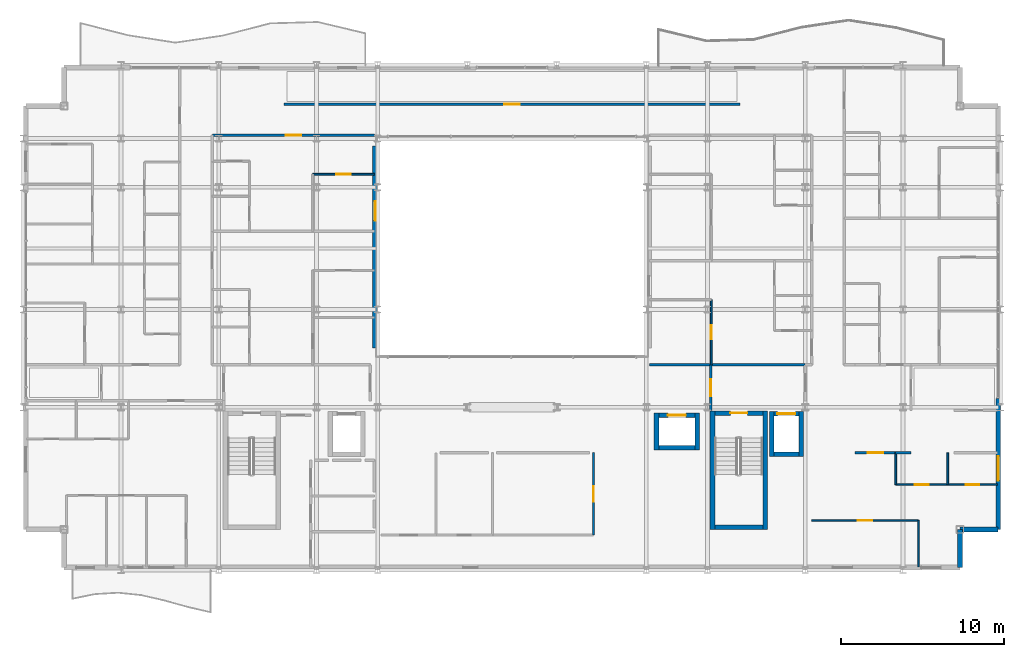
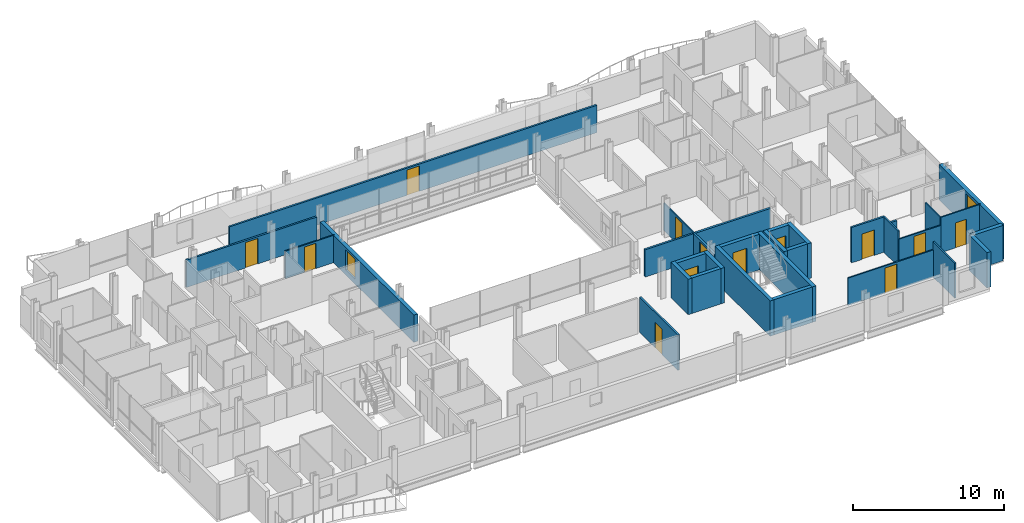
# One storey, part 34 of 40: 32 walls, 13 doors, 2 windows, 15 openings.
"""IFC4 building model written with IfcOpenShell, lengths in metres."""

import ifcopenshell
import ifcopenshell.guid

model = None  # the IFC model being written
_history = None  # IfcOwnerHistory: only IFC2X3 demands one
_inside = {}  # id of a spatial element -> (the spatial element, [elements in it])
_under = {}  # id of a project, library or spatial element -> (it, [spatial elements below it])
_declared = {}  # id of a project -> (the project, [libraries it declares])
_typed = {}  # id of a type object -> (the type object, [elements of that type])
_made_of = {}  # id of a material, layer set ... -> (it, [elements and type objects made of it])


def new_model(schema):
    """Start an empty IFC model of exactly this schema.

    Asked for "IFC4X3", IfcOpenShell would pick the latest addendum, in which some entities
    have other attributes; the version numbers below select the first issue.
    IFC2X3 requires an IfcOwnerHistory on every rooted entity: one is made here for all.
    """
    global model, _history
    if schema == "IFC4X3":
        model = ifcopenshell.file(schema_version=(4, 3, 0, 0))
    else:
        model = ifcopenshell.file(schema=schema)
    _inside.clear()
    _under.clear()
    _declared.clear()
    _typed.clear()
    _made_of.clear()
    _history = None
    if model.schema == "IFC2X3":
        org = make("IfcOrganization", Name="unknown")
        user = make(
            "IfcPersonAndOrganization",
            ThePerson=make("IfcPerson", FamilyName="unknown"),
            TheOrganization=org,
        )
        app = make(
            "IfcApplication",
            ApplicationDeveloper=org,
            Version="unknown",
            ApplicationFullName="unknown",
            ApplicationIdentifier="unknown",
        )
        _history = make(
            "IfcOwnerHistory",
            OwningUser=user,
            OwningApplication=app,
            ChangeAction="ADDED",
            CreationDate=0,
        )
    return model


def make(cls, **values):
    """One entity of the class cls with the attributes given. An attribute that is None is left unset."""
    return model.create_entity(
        cls, **{name: value for name, value in values.items() if value is not None}
    )


def rooted(cls, **values):
    """An entity with a GlobalId (a new one), such as an element, a storey or a relation."""
    return make(cls, GlobalId=ifcopenshell.guid.new(), OwnerHistory=_history, **values)


def si_unit(unit_type, name, prefix=None):
    """IfcSIUnit, for example si_unit("LENGTHUNIT", "METRE", prefix="MILLI")."""
    return make("IfcSIUnit", UnitType=unit_type, Prefix=prefix, Name=name)


def assignment(units):
    """IfcUnitAssignment: the units of a project."""
    return None if units is None else make("IfcUnitAssignment", Units=units)


def point(xyz):
    """IfcCartesianPoint."""
    return None if xyz is None else make("IfcCartesianPoint", Coordinates=xyz)


def direction(xyz):
    """IfcDirection."""
    return None if xyz is None else make("IfcDirection", DirectionRatios=xyz)


def frame(location, z_axis=None, x_axis=None):
    """IfcAxis2Placement3D, a coordinate frame: its origin and axes. An axis left out is left unset."""
    return make(
        "IfcAxis2Placement3D",
        Location=point(location),
        Axis=direction(z_axis),
        RefDirection=direction(x_axis),
    )


def frame_2d(location, x_axis=None):
    """IfcAxis2Placement2D, a coordinate frame in the plane: its origin and x axis."""
    return make(
        "IfcAxis2Placement2D", Location=point(location), RefDirection=direction(x_axis)
    )


def origin():
    """The frame at (0, 0, 0) with its axes left unset."""
    return frame((0.0, 0.0, 0.0))


def place(relative_to, where):
    """IfcLocalPlacement: puts the frame where relative to a parent placement (None: the world)."""
    return make(
        "IfcLocalPlacement", PlacementRelTo=relative_to, RelativePlacement=where
    )


def context(
    kind, dimensions, precision=None, world=None, true_north=None, identifier=None
):
    """IfcGeometricRepresentationContext, for example the 3D "Model" context."""
    return make(
        "IfcGeometricRepresentationContext",
        ContextIdentifier=identifier,
        ContextType=kind,
        CoordinateSpaceDimension=dimensions,
        Precision=precision,
        WorldCoordinateSystem=world,
        TrueNorth=true_north,
    )


def subcontext(parent, identifier, kind, view, scale=None):
    """IfcGeometricRepresentationSubContext, for example "Body" below "Model"."""
    return make(
        "IfcGeometricRepresentationSubContext",
        ContextIdentifier=identifier,
        ContextType=kind,
        ParentContext=parent,
        TargetScale=scale,
        TargetView=view,
    )


def project(units=None, contexts=None):
    """IfcProject with its units and contexts."""
    return rooted(
        "IfcProject",
        Name="project",
        RepresentationContexts=contexts,
        UnitsInContext=assignment(units),
    )


def spatial(cls, under=None, at=None, **own):
    """A site, building, storey or space (cls), placed at a placement, below another one or the project."""
    s = rooted(cls, ObjectPlacement=at, **own)
    if under is not None:
        _under.setdefault(under.id(), (under, []))[1].append(s)
    return s


def profile(cls, at=None, kind="AREA", **sizes):
    """A parametric profile (cls). Its sizes go by their IFC names, for example OverallWidth=200.0."""
    return make(cls, ProfileType=kind, Position=at, **sizes)


def rectangle(**sizes):
    """IfcRectangleProfileDef."""
    return profile("IfcRectangleProfileDef", **sizes)


def extrude(swept, where, along, depth):
    """IfcExtrudedAreaSolid: the profile swept, set in the frame where, extruded along a direction by depth."""
    return make(
        "IfcExtrudedAreaSolid",
        SweptArea=swept,
        Position=where,
        ExtrudedDirection=direction(along),
        Depth=depth,
    )


def shape(context_of_items, identifier, shape_type, items):
    """IfcShapeRepresentation: the items that make up one representation, for example the "Body"."""
    return make(
        "IfcShapeRepresentation",
        ContextOfItems=context_of_items,
        RepresentationIdentifier=identifier,
        RepresentationType=shape_type,
        Items=items,
    )


def material(Name=None, Category=None):
    """IfcMaterial."""
    return make("IfcMaterial", Name=Name, Category=Category)


def layer(
    of_material, thickness, ventilated=None, Name=None, Category=None, Priority=None
):
    """IfcMaterialLayer: one layer of a wall or slab, of a material (None: an air gap)."""
    return make(
        "IfcMaterialLayer",
        Material=of_material,
        LayerThickness=thickness,
        IsVentilated=ventilated,
        Name=Name,
        Category=Category,
        Priority=Priority,
    )


def layer_set(layers, Name=None):
    """IfcMaterialLayerSet."""
    return make("IfcMaterialLayerSet", MaterialLayers=layers, LayerSetName=Name)


def made_of(thing, what):
    """Note that an element or type object is made of a material, layer set ...; save() writes the relation."""
    if what is not None:
        _made_of.setdefault(what.id(), (what, []))[1].append(thing)
    return thing


def type_object(cls, material=None, **own):
    """A type object (cls), such as IfcWallType, which elements share."""
    return made_of(rooted(cls, **own), material)


def element(
    cls,
    number,
    at=None,
    inside=None,
    cuts=None,
    type_object=None,
    material=None,
    context=None,
    identifier="Body",
    shape_type=None,
    held_by="IfcProductDefinitionShape",
    body=None,
    shapes=None,
    **own,
):
    """One element of the class cls, such as IfcWall. Its Tag is "e" and its number.

    at: its placement. inside: the storey or other place that contains it. cuts: it is an
    opening in that element (IfcRelVoidsElement). A single representation is given by context,
    identifier, shape_type and body (its items); several are given by shapes. held_by: the class
    of the entity that holds the representations. save() writes the other relations.
    """
    e = rooted(cls, Tag="e%d" % number, ObjectPlacement=at, **own)
    if body is not None:
        shapes = [shape(context, identifier, shape_type, body)]
    if shapes is not None:
        e.Representation = make(held_by, Representations=shapes)
    if inside is not None:
        _inside.setdefault(inside.id(), (inside, []))[1].append(e)
    if cuts is not None:
        rooted(
            "IfcRelVoidsElement", RelatingBuildingElement=cuts, RelatedOpeningElement=e
        )
    if type_object is not None:
        _typed.setdefault(type_object.id(), (type_object, []))[1].append(e)
    return made_of(e, material)


def fill(opening, filler):
    """IfcRelFillsElement: the door or window that sits in an opening."""
    return rooted(
        "IfcRelFillsElement",
        RelatingOpeningElement=opening,
        RelatedBuildingElement=filler,
    )


def aggregate(whole, parts):
    """IfcRelAggregates: a whole, such as a stair, and the parts it consists of."""
    return rooted("IfcRelAggregates", RelatingObject=whole, RelatedObjects=parts)


def save(model, path):
    """Write the relations noted so far, then the file.

    IfcRelAggregates (storeys below a building ...), IfcRelContainedInSpatialStructure (elements
    in a storey), IfcRelDefinesByType, IfcRelAssociatesMaterial and IfcRelDeclares: one each for
    every whole, place, type object, material and project.
    """
    for whole, parts in _under.values():
        aggregate(whole, parts)
    for where, things in _inside.values():
        rooted(
            "IfcRelContainedInSpatialStructure",
            RelatedElements=things,
            RelatingStructure=where,
        )
    for kind, things in _typed.values():
        rooted("IfcRelDefinesByType", RelatedObjects=things, RelatingType=kind)
    for what, things in _made_of.values():
        rooted("IfcRelAssociatesMaterial", RelatedObjects=things, RelatingMaterial=what)
    for by, libraries in _declared.values():
        rooted("IfcRelDeclares", RelatingContext=by, RelatedDefinitions=libraries)
    model.write(path)


model = new_model("IFC4")

# Units and contexts
model_context = context("Model", 3, precision=1e-05, world=origin(), true_north=direction((0.0, 1.0)))
body_context = subcontext(model_context, "Body", "Model", "MODEL_VIEW")
ifc_project = project(units=[si_unit("LENGTHUNIT", "METRE"), si_unit("AREAUNIT", "SQUARE_METRE"), si_unit("VOLUMEUNIT", "CUBIC_METRE"), si_unit("PLANEANGLEUNIT", "RADIAN"), si_unit("MASSUNIT", "GRAM", prefix="KILO")], contexts=[model_context])

# Site, building, storey
site_placement = place(None, origin())
site = spatial("IfcSite", under=ifc_project, at=site_placement, CompositionType="ELEMENT")
building_placement = place(site_placement, origin())
building = spatial("IfcBuilding", under=site, at=building_placement, Name="Brevholm Reach", CompositionType="ELEMENT")
storey_placement = place(building_placement, frame((0.0, 0.0, 131.39990234375)))
storey = spatial("IfcBuildingStorey", under=building, at=storey_placement, Name="L39", CompositionType="ELEMENT", Elevation=131.39990234375)

# Walls
ifc_material_1 = material(Name="Concrete C50/60", Category="concrete")
ifc_layer_1 = layer(ifc_material_1, 0.280029296875)
ifc_layer_set_1 = layer_set([ifc_layer_1], Name="Concrete C50/60")
wall_type_1 = type_object("IfcWallType", Name="WAL-COR-280", PredefinedType="SHEAR", material=ifc_layer_set_1)
for number, where, z_axis, x_axis, name in (
    (1, (42.31005859375, 2.5, 0.0), (0.0, 0.0, 1.0), (0.0, 1.0, 0.0), "L39 Escape Stair ST-2 Core Wall W"),
    (2, (45.5400390625, 2.5, 0.0), (0.0, 0.0, 1.0), (0.0, 1.0, 0.0), "L39 Escape Stair ST-2 Core Wall E"),
):
    element("IfcWall", number, at=place(storey_placement, frame(where, z_axis=z_axis, x_axis=x_axis)), inside=storey, type_object=wall_type_1, Name=name, PredefinedType="SHEAR", context=body_context, shape_type="SweptSolid", body=[
        extrude(rectangle(XDim=7.280029296875, YDim=0.280029296875, at=frame_2d((3.64013671875, 0.0))), origin(), (0.0, 0.0, 1.0), 2.85009765625),
    ])
wall_1_placement = place(storey_placement, frame((42.449951171875, 2.639892578125, 0.0), z_axis=(0.0, 0.0, 1.0), x_axis=(1.0, 0.0, 0.0)))
element("IfcWall", 3, at=wall_1_placement, inside=storey, type_object=wall_type_1, Name="L39 Escape Stair ST-2 Core Wall S", PredefinedType="SHEAR", context=body_context, shape_type="SweptSolid", body=[
    extrude(rectangle(XDim=2.949951171875, YDim=0.280029296875, at=frame_2d((1.47509765625, 0.0))), origin(), (0.0, 0.0, 1.0), 2.85009765625),
])

# Wall, opening, door
wall_2_placement = place(storey_placement, frame((45.39990234375, 9.639892578125, 0.0), z_axis=(0.0, 0.0, 1.0), x_axis=(-1.0, 0.0, 0.0)))
wall_2 = element("IfcWall", 4, at=wall_2_placement, inside=storey, type_object=wall_type_1, Name="L39 Escape Stair ST-2 Core Wall N", PredefinedType="SHEAR", context=body_context, shape_type="SweptSolid", body=[
    extrude(rectangle(XDim=2.949951171875, YDim=0.280029296875, at=frame_2d((1.47509765625, 0.0))), origin(), (0.0, 0.0, 1.0), 2.85009765625),
])
opening_1_placement = place(wall_2_placement, frame((0.949951171875, 0.0, 0.0)))
opening_1 = element("IfcOpeningElement", 5, at=opening_1_placement, cuts=wall_2, Name="Opening SD-ST-2", PredefinedType="OPENING", context=body_context, shape_type="SweptSolid", body=[
    extrude(rectangle(XDim=1.050048828125, YDim=2.06005859375, at=frame_2d((0.52490234375, 1.030029296875))), frame((0.0, 0.14990234375, 0.0), z_axis=(0.0, -1.0, 0.0), x_axis=(1.0, 0.0, 0.0)), (0.0, 0.0, 1.0), 0.300048828125),
])
ifc_material_2 = material(Name="Hardwood-Lipped Steel-Core Fire and Smoke Door", Category="steel")
door_type_1 = type_object("IfcDoorType", Name="DOR-INT-FD60S", OperationType="NOTDEFINED", PredefinedType="DOOR", material=ifc_material_2)
door_1_placement = place(opening_1_placement, origin())
door_1 = element("IfcDoor", 6, at=door_1_placement, inside=storey, type_object=door_type_1, Name="L39 Protected Stair ST-2 Lobby Door", OperationType="SINGLE_SWING_RIGHT", OverallHeight=2.06005859375, OverallWidth=1.050048828125, PredefinedType="DOOR", context=body_context, shape_type="SweptSolid", body=[
    extrude(rectangle(XDim=1.050048828125, YDim=2.06005859375, at=frame_2d((0.52490234375, 1.030029296875))), frame((0.0, 0.02490234375, 0.0), z_axis=(0.0, -1.0, 0.0), x_axis=(1.0, 0.0, 0.0)), (0.0, 0.0, 1.0), 0.050048828125),
])
fill(opening_1, door_1)

# Walls
for number, where, z_axis, x_axis, name in (
    (7, (45.949951171875, 6.9599609375, 0.0), (0.0, 0.0, 1.0), (0.0, 1.0, 0.0), "L39 Lift FFL-2 Shaft Wall W"),
    (8, (47.75, 6.9599609375, 0.0), (0.0, 0.0, 1.0), (0.0, 1.0, 0.0), "L39 Lift FFL-2 Shaft Wall E"),
):
    element("IfcWall", number, at=place(storey_placement, frame(where, z_axis=z_axis, x_axis=x_axis)), inside=storey, type_object=wall_type_1, Name=name, PredefinedType="SHEAR", context=body_context, shape_type="SweptSolid", body=[
        extrude(rectangle(XDim=2.780029296875, YDim=0.280029296875, at=frame_2d((1.39013671875, 0.0))), origin(), (0.0, 0.0, 1.0), 2.85009765625),
    ])
wall_3_placement = place(storey_placement, frame((46.090087890625, 7.10009765625, 0.0), z_axis=(0.0, 0.0, 1.0), x_axis=(1.0, 0.0, 0.0)))
element("IfcWall", 9, at=wall_3_placement, inside=storey, type_object=wall_type_1, Name="L39 Lift FFL-2 Shaft Wall S", PredefinedType="SHEAR", context=body_context, shape_type="SweptSolid", body=[
    extrude(rectangle(XDim=1.52001953125, YDim=0.280029296875, at=frame_2d((0.760009765625, 0.0))), origin(), (0.0, 0.0, 1.0), 2.85009765625),
])

# Wall, opening, door
wall_4_placement = place(storey_placement, frame((46.090087890625, 9.60009765625, 0.0), z_axis=(0.0, 0.0, 1.0), x_axis=(1.0, 0.0, 0.0)))
wall_4 = element("IfcWall", 10, at=wall_4_placement, inside=storey, type_object=wall_type_1, Name="L39 Lift FFL-2 Shaft Wall N", PredefinedType="SHEAR", context=body_context, shape_type="SweptSolid", body=[
    extrude(rectangle(XDim=1.52001953125, YDim=0.280029296875, at=frame_2d((0.760009765625, 0.0))), origin(), (0.0, 0.0, 1.0), 2.85009765625),
])
opening_2_placement = place(wall_4_placement, frame((0.2099609375, 0.0, 0.0)))
opening_2 = element("IfcOpeningElement", 11, at=opening_2_placement, cuts=wall_4, Name="Opening LD-FFL-2", PredefinedType="OPENING", context=body_context, shape_type="SweptSolid", body=[
    extrude(rectangle(XDim=1.10009765625, YDim=2.06005859375, at=frame_2d((0.550048828125, 1.030029296875))), frame((0.0, 0.14990234375, 0.0), z_axis=(0.0, -1.0, 0.0), x_axis=(1.0, 0.0, 0.0)), (0.0, 0.0, 1.0), 0.300048828125),
])
ifc_material_3 = material(Name="Brushed Stainless Steel Fire-Rated Sliding Lift Door", Category="steel")
door_type_2 = type_object("IfcDoorType", Name="DOR-LFT-1100", OperationType="NOTDEFINED", PredefinedType="DOOR", material=ifc_material_3)
door_2_placement = place(opening_2_placement, origin())
door_2 = element("IfcDoor", 12, at=door_2_placement, inside=storey, type_object=door_type_2, Name="L39 Lift FFL-2 Sliding Landing Door", OperationType="SLIDING_TO_RIGHT", OverallHeight=2.06005859375, OverallWidth=1.10009765625, PredefinedType="DOOR", context=body_context, shape_type="SweptSolid", body=[
    extrude(rectangle(XDim=1.10009765625, YDim=2.06005859375, at=frame_2d((0.550048828125, 1.030029296875))), frame((0.0, 0.02490234375, 0.0), z_axis=(0.0, -1.0, 0.0), x_axis=(1.0, 0.0, 0.0)), (0.0, 0.0, 1.0), 0.050048828125),
])
fill(opening_2, door_2)

# Walls
for number, where, z_axis, x_axis, name in (
    (13, (38.8701171875, 7.360107421875, 0.0), (0.0, 0.0, 1.0), (0.0, 1.0, 0.0), "L39 Lift PL-S1 Shaft Wall W"),
    (14, (41.3701171875, 7.360107421875, 0.0), (0.0, 0.0, 1.0), (0.0, 1.0, 0.0), "L39 Lift PL-S1 Shaft Wall E"),
):
    element("IfcWall", number, at=place(storey_placement, frame(where, z_axis=z_axis, x_axis=x_axis)), inside=storey, type_object=wall_type_1, Name=name, PredefinedType="SHEAR", context=body_context, shape_type="SweptSolid", body=[
        extrude(rectangle(XDim=2.27978515625, YDim=0.280029296875, at=frame_2d((1.139892578125, 0.0))), origin(), (0.0, 0.0, 1.0), 2.85009765625),
    ])
wall_5_placement = place(storey_placement, frame((39.010009765625, 7.5, 0.0), z_axis=(0.0, 0.0, 1.0), x_axis=(1.0, 0.0, 0.0)))
element("IfcWall", 15, at=wall_5_placement, inside=storey, type_object=wall_type_1, Name="L39 Lift PL-S1 Shaft Wall S", PredefinedType="SHEAR", context=body_context, shape_type="SweptSolid", body=[
    extrude(rectangle(XDim=2.219970703125, YDim=0.280029296875, at=frame_2d((1.10986328125, 0.0))), origin(), (0.0, 0.0, 1.0), 2.85009765625),
])

# Wall, opening, door
wall_6_placement = place(storey_placement, frame((39.010009765625, 9.5, 0.0), z_axis=(0.0, 0.0, 1.0), x_axis=(1.0, 0.0, 0.0)))
wall_6 = element("IfcWall", 16, at=wall_6_placement, inside=storey, type_object=wall_type_1, Name="L39 Lift PL-S1 Shaft Wall N", PredefinedType="SHEAR", context=body_context, shape_type="SweptSolid", body=[
    extrude(rectangle(XDim=2.219970703125, YDim=0.280029296875, at=frame_2d((1.10986328125, 0.0))), origin(), (0.0, 0.0, 1.0), 2.85009765625),
])
opening_3_placement = place(wall_6_placement, frame((0.56005859375, 0.0, 0.0)))
opening_3 = element("IfcOpeningElement", 17, at=opening_3_placement, cuts=wall_6, Name="Opening LD-PL-S1", PredefinedType="OPENING", context=body_context, shape_type="SweptSolid", body=[
    extrude(rectangle(XDim=1.10009765625, YDim=2.06005859375, at=frame_2d((0.550048828125, 1.030029296875))), frame((0.0, 0.14990234375, 0.0), z_axis=(0.0, -1.0, 0.0), x_axis=(1.0, 0.0, 0.0)), (0.0, 0.0, 1.0), 0.300048828125),
])
door_3_placement = place(opening_3_placement, origin())
door_3 = element("IfcDoor", 18, at=door_3_placement, inside=storey, type_object=door_type_2, Name="L39 Lift PL-S1 Sliding Landing Door", OperationType="SLIDING_TO_LEFT", OverallHeight=2.06005859375, OverallWidth=1.10009765625, PredefinedType="DOOR", context=body_context, shape_type="SweptSolid", body=[
    extrude(rectangle(XDim=1.10009765625, YDim=2.06005859375, at=frame_2d((0.550048828125, 1.030029296875))), frame((0.0, 0.02490234375, 0.0), z_axis=(0.0, -1.0, 0.0), x_axis=(1.0, 0.0, 0.0)), (0.0, 0.0, 1.0), 0.050048828125),
])
fill(opening_3, door_3)

# Walls
ifc_material_4 = material(Name="Concrete C40/50", Category="concrete")
ifc_layer_2 = layer(ifc_material_4, 0.300048828125)
ifc_layer_set_2 = layer_set([ifc_layer_2], Name="Concrete C40/50")
wall_type_2 = type_object("IfcWallType", Name="WAL-EXT-300", PredefinedType="STANDARD", material=ifc_layer_set_2)
for number, where, z_axis, x_axis, name in (
    (19, (57.5, 0.14990234375, 0.0), (0.0, 0.0, 1.0), (0.0, 1.0, 0.0), "L39 Facade Wall WAL-L39-CSE1"),
    (20, (57.5, 2.5, 0.0), (0.0, 0.0, 1.0), (1.0, 0.0, 0.0), "L39 Facade Wall WAL-L39-CSE2"),
):
    element("IfcWall", number, at=place(storey_placement, frame(where, z_axis=z_axis, x_axis=x_axis)), inside=storey, type_object=wall_type_2, Name=name, PredefinedType="STANDARD", context=body_context, shape_type="SweptSolid", body=[
        extrude(rectangle(XDim=2.35009765625, YDim=0.300048828125, at=frame_2d((1.175048828125, 0.0))), origin(), (0.0, 0.0, 1.0), 2.85009765625),
    ])

# Wall, opening, window
wall_7_placement = place(storey_placement, frame((59.85009765625, 2.5, 0.0), z_axis=(0.0, 0.0, 1.0), x_axis=(0.0, 1.0, 0.0)))
wall_7 = element("IfcWall", 21, at=wall_7_placement, inside=storey, type_object=wall_type_2, Name="L39 Facade Wall WAL-L39-E-S", PredefinedType="STANDARD", context=body_context, shape_type="SweptSolid", body=[
    extrude(rectangle(XDim=8.050048828125, YDim=0.300048828125, at=frame_2d((4.02490234375, 0.0))), origin(), (0.0, 0.0, 1.0), 2.85009765625),
])
opening_4_placement = place(wall_7_placement, frame((3.0, 0.0, 0.830078125)))
opening_4 = element("IfcOpeningElement", 22, at=opening_4_placement, cuts=wall_7, Name="Opening WN-05", PredefinedType="OPENING", context=body_context, shape_type="SweptSolid", body=[
    extrude(rectangle(XDim=1.5, YDim=1.800048828125, at=frame_2d((0.75, 0.89990234375))), frame((0.0, 0.159912109375, 0.0), z_axis=(0.0, -1.0, 0.0), x_axis=(1.0, 0.0, 0.0)), (0.0, 0.0, 1.0), 0.320068359375),
])
ifc_material_5 = material(Name="Dark Anodised Aluminium and Solar-Control IGU Glass", Category="aluminium")
window_type_1 = type_object("IfcWindowType", Name="WIN-RES-1500", PartitioningType="SINGLE_PANEL", PredefinedType="WINDOW", material=ifc_material_5)
window_1_placement = place(opening_4_placement, origin())
window_1 = element("IfcWindow", 23, at=window_1_placement, inside=storey, type_object=window_type_1, Name="L39 Window WIN-L39-ES-1", OverallHeight=1.800048828125, OverallWidth=1.5, PartitioningType="SINGLE_PANEL", PredefinedType="WINDOW", context=body_context, shape_type="SweptSolid", body=[
    extrude(rectangle(XDim=1.5, YDim=1.800048828125, at=frame_2d((0.75, 0.89990234375))), frame((0.0, 0.030029296875, 0.0), z_axis=(0.0, -1.0, 0.0), x_axis=(1.0, 0.0, 0.0)), (0.0, 0.0, 1.0), 0.06005859375),
])
fill(opening_4, window_1)

wall_8_placement = place(storey_placement, frame((21.60009765625, 26.050048828125, 0.0), z_axis=(0.0, 0.0, 1.0), x_axis=(0.0, -1.0, 0.0)))
wall_8 = element("IfcWall", 24, at=wall_8_placement, inside=storey, type_object=wall_type_2, Name="L39 Facade Wall WAL-L39-AT-W", PredefinedType="STANDARD", context=body_context, shape_type="SweptSolid", body=[
    extrude(rectangle(XDim=12.400146484375, YDim=0.300048828125, at=frame_2d((6.2001953125, 0.0))), origin(), (0.0, 0.0, 1.0), 2.204833984375),
])
opening_5_placement = place(wall_8_placement, frame((3.39990234375, 0.0, 0.385009765625)))
opening_5 = element("IfcOpeningElement", 25, at=opening_5_placement, cuts=wall_8, Name="Opening WN-08", PredefinedType="OPENING", context=body_context, shape_type="SweptSolid", body=[
    extrude(rectangle(XDim=1.199951171875, YDim=1.60009765625, at=frame_2d((0.60009765625, 0.800048828125))), frame((0.0, 0.159912109375, 0.0), z_axis=(0.0, -1.0, 0.0), x_axis=(1.0, 0.0, 0.0)), (0.0, 0.0, 1.0), 0.320068359375),
])
ifc_material_6 = material(Name="Dark Anodised Aluminium and Solar-Control IGU Glass", Category="aluminium")
window_type_2 = type_object("IfcWindowType", Name="WIN-RES-1200", PartitioningType="SINGLE_PANEL", PredefinedType="WINDOW", material=ifc_material_6)
window_2_placement = place(opening_5_placement, origin())
window_2 = element("IfcWindow", 26, at=window_2_placement, inside=storey, type_object=window_type_2, Name="L39 Window WIN-L39-AT-W1", OverallHeight=1.60009765625, OverallWidth=1.199951171875, PartitioningType="SINGLE_PANEL", PredefinedType="WINDOW", context=body_context, shape_type="SweptSolid", body=[
    extrude(rectangle(XDim=1.199951171875, YDim=1.60009765625, at=frame_2d((0.60009765625, 0.800048828125))), frame((0.0, 0.030029296875, 0.0), z_axis=(0.0, -1.0, 0.0), x_axis=(1.0, 0.0, 0.0)), (0.0, 0.0, 1.0), 0.06005859375),
])
fill(opening_5, window_2)

# Wall
ifc_material_7 = material(Name="Moisture-Resistant Acoustic Gypsum Stud Partition 100 mm", Category="gypsum")
ifc_layer_3 = layer(ifc_material_7, 0.10009765625)
ifc_layer_set_3 = layer_set([ifc_layer_3], Name="Moisture-Resistant Acoustic Gypsum Stud Partition 100 mm")
wall_type_3 = type_object("IfcWallType", Name="WAL-PRT-100", PredefinedType="PARTITIONING", material=ifc_layer_set_3)
wall_9_placement = place(storey_placement, frame((56.75, 5.25, 0.0), z_axis=(0.0, 0.0, 1.0), x_axis=(0.0, 1.0, 0.0)))
element("IfcWall", 27, at=wall_9_placement, inside=storey, type_object=wall_type_3, Name="L39 Internal Partition 082", PredefinedType="PARTITIONING", context=body_context, shape_type="SweptSolid", body=[
    extrude(rectangle(XDim=1.949951171875, YDim=0.10009765625, at=frame_2d((0.97509765625, 0.0))), origin(), (0.0, 0.0, 1.0), 2.85009765625),
])

# Wall, opening, door
wall_10_placement = place(storey_placement, frame((56.75, 5.25, 0.0), z_axis=(0.0, 0.0, 1.0), x_axis=(1.0, 0.0, 0.0)))
wall_10 = element("IfcWall", 28, at=wall_10_placement, inside=storey, type_object=wall_type_3, Name="L39 Internal Partition 083", PredefinedType="PARTITIONING", context=body_context, shape_type="SweptSolid", body=[
    extrude(rectangle(XDim=3.050048828125, YDim=0.10009765625, at=frame_2d((1.52490234375, 0.0))), origin(), (0.0, 0.0, 1.0), 2.85009765625),
])
opening_6_placement = place(wall_10_placement, frame((1.114990234375, 0.0, 0.0)))
opening_6 = element("IfcOpeningElement", 29, at=opening_6_placement, cuts=wall_10, Name="Opening ID-03", PredefinedType="OPENING", context=body_context, shape_type="SweptSolid", body=[
    extrude(rectangle(XDim=0.820068359375, YDim=2.02001953125, at=frame_2d((0.41015625, 1.010009765625))), frame((0.0, 0.06005859375, 0.0), z_axis=(0.0, -1.0, 0.0), x_axis=(1.0, 0.0, 0.0)), (0.0, 0.0, 1.0), 0.1201171875),
])
ifc_material_8 = material(Name="Moisture-Resistant Painted Timber Internal Bathroom Door", Category="wood")
door_type_3 = type_object("IfcDoorType", Name="DOR-BATH-820", OperationType="NOTDEFINED", PredefinedType="DOOR", material=ifc_material_8)
door_4_placement = place(opening_6_placement, origin())
door_4 = element("IfcDoor", 30, at=door_4_placement, inside=storey, type_object=door_type_3, Name="L39 Internal Door 030", OperationType="SINGLE_SWING_LEFT", OverallHeight=2.02001953125, OverallWidth=0.820068359375, PredefinedType="DOOR", context=body_context, shape_type="SweptSolid", body=[
    extrude(rectangle(XDim=0.820068359375, YDim=2.02001953125, at=frame_2d((0.41015625, 1.010009765625))), frame((0.0, 0.02490234375, 0.0), z_axis=(0.0, -1.0, 0.0), x_axis=(1.0, 0.0, 0.0)), (0.0, 0.0, 1.0), 0.050048828125),
])
fill(opening_6, door_4)

wall_11_placement = place(storey_placement, frame((53.55810546875, 5.25, 0.0), z_axis=(0.0, 0.0, 1.0), x_axis=(1.0, 0.0, 0.0)))
wall_11 = element("IfcWall", 31, at=wall_11_placement, inside=storey, type_object=wall_type_3, Name="L39 Internal Partition 084", PredefinedType="PARTITIONING", context=body_context, shape_type="SweptSolid", body=[
    extrude(rectangle(XDim=3.18798828125, YDim=0.10009765625, at=frame_2d((1.593994140625, 0.0))), origin(), (0.0, 0.0, 1.0), 2.204833984375),
])
opening_7_placement = place(wall_11_placement, frame((1.154052734375, 0.0, 0.0)))
opening_7 = element("IfcOpeningElement", 32, at=opening_7_placement, cuts=wall_11, Name="Opening ID-01", PredefinedType="OPENING", context=body_context, shape_type="SweptSolid", body=[
    extrude(rectangle(XDim=0.8798828125, YDim=2.0400390625, at=frame_2d((0.43994140625, 1.02001953125))), frame((0.0, 0.06005859375, 0.0), z_axis=(0.0, -1.0, 0.0), x_axis=(1.0, 0.0, 0.0)), (0.0, 0.0, 1.0), 0.1201171875),
])
ifc_material_9 = material(Name="Lacquered Ash Solid-Core Acoustic Internal Door", Category="timber")
door_type_4 = type_object("IfcDoorType", Name="DOR-INT-880", OperationType="NOTDEFINED", PredefinedType="DOOR", material=ifc_material_9)
door_5_placement = place(opening_7_placement, origin())
door_5 = element("IfcDoor", 33, at=door_5_placement, inside=storey, type_object=door_type_4, Name="L39 Internal Door 031", OperationType="SINGLE_SWING_RIGHT", OverallHeight=2.0400390625, OverallWidth=0.8798828125, PredefinedType="DOOR", context=body_context, shape_type="SweptSolid", body=[
    extrude(rectangle(XDim=0.8798828125, YDim=2.0400390625, at=frame_2d((0.43994140625, 1.02001953125))), frame((0.0, 0.02490234375, 0.0), z_axis=(0.0, -1.0, 0.0), x_axis=(1.0, 0.0, 0.0)), (0.0, 0.0, 1.0), 0.050048828125),
])
fill(opening_7, door_5)

# Walls
wall_12_placement = place(storey_placement, frame((53.55810546875, 5.25, 0.0), z_axis=(0.0, 0.0, 1.0), x_axis=(0.0, 1.0, 0.0)))
element("IfcWall", 34, at=wall_12_placement, inside=storey, type_object=wall_type_3, Name="L39 Internal Partition 085", PredefinedType="PARTITIONING", context=body_context, shape_type="SweptSolid", body=[
    extrude(rectangle(XDim=1.946044921875, YDim=0.10009765625, at=frame_2d((0.97314453125, 0.0))), origin(), (0.0, 0.0, 1.0), 2.85009765625),
])
wall_13_placement = place(storey_placement, frame((54.949951171875, 0.199951171875, 0.0), z_axis=(0.0, 0.0, 1.0), x_axis=(0.0, 1.0, 0.0)))
element("IfcWall", 35, at=wall_13_placement, inside=storey, type_object=wall_type_3, Name="L39 Internal Partition 086", PredefinedType="PARTITIONING", context=body_context, shape_type="SweptSolid", body=[
    extrude(rectangle(XDim=2.85009765625, YDim=0.10009765625, at=frame_2d((1.425048828125, 0.0))), origin(), (0.0, 0.0, 1.0), 2.85009765625),
])

# Wall, opening, door
wall_14_placement = place(storey_placement, frame((48.39990234375, 3.050048828125, 0.0), z_axis=(0.0, 0.0, 1.0), x_axis=(1.0, 0.0, 0.0)))
wall_14 = element("IfcWall", 36, at=wall_14_placement, inside=storey, type_object=wall_type_3, Name="L39 Internal Partition 087", PredefinedType="PARTITIONING", context=body_context, shape_type="SweptSolid", body=[
    extrude(rectangle(XDim=6.550048828125, YDim=0.10009765625, at=frame_2d((3.27490234375, 0.0))), origin(), (0.0, 0.0, 1.0), 2.204833984375),
])
opening_8_placement = place(wall_14_placement, frame((2.8349609375, 0.0, 0.0)))
opening_8 = element("IfcOpeningElement", 37, at=opening_8_placement, cuts=wall_14, Name="Opening ID-01", PredefinedType="OPENING", context=body_context, shape_type="SweptSolid", body=[
    extrude(rectangle(XDim=0.8798828125, YDim=2.0400390625, at=frame_2d((0.43994140625, 1.02001953125))), frame((0.0, 0.06005859375, 0.0), z_axis=(0.0, -1.0, 0.0), x_axis=(1.0, 0.0, 0.0)), (0.0, 0.0, 1.0), 0.1201171875),
])
door_6_placement = place(opening_8_placement, origin())
door_6 = element("IfcDoor", 38, at=door_6_placement, inside=storey, type_object=door_type_4, Name="L39 Internal Door 032", OperationType="SINGLE_SWING_LEFT", OverallHeight=2.0400390625, OverallWidth=0.8798828125, PredefinedType="DOOR", context=body_context, shape_type="SweptSolid", body=[
    extrude(rectangle(XDim=0.8798828125, YDim=2.0400390625, at=frame_2d((0.43994140625, 1.02001953125))), frame((0.0, 0.02490234375, 0.0), z_axis=(0.0, -1.0, 0.0), x_axis=(1.0, 0.0, 0.0)), (0.0, 0.0, 1.0), 0.050048828125),
])
fill(opening_8, door_6)

wall_15_placement = place(storey_placement, frame((17.76904296875, 24.300048828125, 0.0), z_axis=(0.0, 0.0, 1.0), x_axis=(1.0, 0.0, 0.0)))
wall_15 = element("IfcWall", 39, at=wall_15_placement, inside=storey, type_object=wall_type_3, Name="L39 Internal Partition 122", PredefinedType="PARTITIONING", context=body_context, shape_type="SweptSolid", body=[
    extrude(rectangle(XDim=3.781005859375, YDim=0.10009765625, at=frame_2d((1.890625, 0.0))), origin(), (0.0, 0.0, 1.0), 2.204833984375),
])
opening_9_placement = place(wall_15_placement, frame((1.450439453125, 0.0, 0.0)))
opening_9 = element("IfcOpeningElement", 40, at=opening_9_placement, cuts=wall_15, Name="Opening ID-01", PredefinedType="OPENING", context=body_context, shape_type="SweptSolid", body=[
    extrude(rectangle(XDim=0.8798828125, YDim=2.0400390625, at=frame_2d((0.43994140625, 1.02001953125))), frame((0.0, 0.06005859375, 0.0), z_axis=(0.0, -1.0, 0.0), x_axis=(1.0, 0.0, 0.0)), (0.0, 0.0, 1.0), 0.1201171875),
])
door_7_placement = place(opening_9_placement, origin())
door_7 = element("IfcDoor", 41, at=door_7_placement, inside=storey, type_object=door_type_4, Name="L39 Internal Door 047", OperationType="SINGLE_SWING_RIGHT", OverallHeight=2.0400390625, OverallWidth=0.8798828125, PredefinedType="DOOR", context=body_context, shape_type="SweptSolid", body=[
    extrude(rectangle(XDim=0.8798828125, YDim=2.0400390625, at=frame_2d((0.43994140625, 1.02001953125))), frame((0.0, 0.02490234375, 0.0), z_axis=(0.0, -1.0, 0.0), x_axis=(1.0, 0.0, 0.0)), (0.0, 0.0, 1.0), 0.050048828125),
])
fill(opening_9, door_7)

wall_16_placement = place(storey_placement, frame((42.23095703125, 12.60400390625, 0.0), z_axis=(0.0, 0.0, 1.0), x_axis=(0.0, 1.0, 0.0)))
wall_16 = element("IfcWall", 42, at=wall_16_placement, inside=storey, type_object=wall_type_3, Name="L39 Internal Partition 129", PredefinedType="PARTITIONING", context=body_context, shape_type="SweptSolid", body=[
    extrude(rectangle(XDim=3.99609375, YDim=0.10009765625, at=frame_2d((1.998046875, 0.0))), origin(), (0.0, 0.0, 1.0), 2.204833984375),
])
opening_10_placement = place(wall_16_placement, frame((1.55810546875, 0.0, 0.0)))
opening_10 = element("IfcOpeningElement", 43, at=opening_10_placement, cuts=wall_16, Name="Opening ID-01", PredefinedType="OPENING", context=body_context, shape_type="SweptSolid", body=[
    extrude(rectangle(XDim=0.8798828125, YDim=2.0400390625, at=frame_2d((0.43994140625, 1.02001953125))), frame((0.0, 0.06005859375, 0.0), z_axis=(0.0, -1.0, 0.0), x_axis=(1.0, 0.0, 0.0)), (0.0, 0.0, 1.0), 0.1201171875),
])
door_8_placement = place(opening_10_placement, origin())
door_8 = element("IfcDoor", 44, at=door_8_placement, inside=storey, type_object=door_type_4, Name="L39 Internal Door 050", OperationType="SINGLE_SWING_LEFT", OverallHeight=2.0400390625, OverallWidth=0.8798828125, PredefinedType="DOOR", context=body_context, shape_type="SweptSolid", body=[
    extrude(rectangle(XDim=0.8798828125, YDim=2.0400390625, at=frame_2d((0.43994140625, 1.02001953125))), frame((0.0, 0.02490234375, 0.0), z_axis=(0.0, -1.0, 0.0), x_axis=(1.0, 0.0, 0.0)), (0.0, 0.0, 1.0), 0.050048828125),
])
fill(opening_10, door_8)

ifc_material_10 = material(Name="Twin-Stud Acoustic Fire-Rated Gypsum Partition 140 mm", Category="gypsum")
ifc_layer_4 = layer(ifc_material_10, 0.139892578125)
ifc_layer_set_4 = layer_set([ifc_layer_4], Name="Twin-Stud Acoustic Fire-Rated Gypsum Partition 140 mm")
wall_type_4 = type_object("IfcWallType", Name="WAL-PRT-140", PredefinedType="PARTITIONING", material=ifc_layer_set_4)
wall_17_placement = place(storey_placement, frame((35.0, 2.142578125, 0.0), z_axis=(0.0, 0.0, 1.0), x_axis=(0.0, 1.0, 0.0)))
wall_17 = element("IfcWall", 45, at=wall_17_placement, inside=storey, type_object=wall_type_4, Name="L39 Internal Partition 001", PredefinedType="PARTITIONING", context=body_context, shape_type="SweptSolid", body=[
    extrude(rectangle(XDim=5.068603515625, YDim=0.139892578125, at=frame_2d((2.5341796875, 0.0))), origin(), (0.0, 0.0, 1.0), 2.85009765625),
])
opening_11_placement = place(wall_17_placement, frame((2.059326171875, 0.0, 0.0)))
opening_11 = element("IfcOpeningElement", 46, at=opening_11_placement, cuts=wall_17, Name="Opening ID-30", PredefinedType="OPENING", context=body_context, shape_type="SweptSolid", body=[
    extrude(rectangle(XDim=0.949951171875, YDim=2.050048828125, at=frame_2d((0.47509765625, 1.02490234375))), frame((0.0, 0.079833984375, 0.0), z_axis=(0.0, -1.0, 0.0), x_axis=(1.0, 0.0, 0.0)), (0.0, 0.0, 1.0), 0.159912109375),
])
ifc_material_11 = material(Name="European Oak Veneered Solid-Core Fire Entrance Door", Category="timber")
door_type_5 = type_object("IfcDoorType", Name="DOR-FLT-FD30S", OperationType="NOTDEFINED", PredefinedType="DOOR", material=ifc_material_11)
door_9_placement = place(opening_11_placement, origin())
door_9 = element("IfcDoor", 47, at=door_9_placement, inside=storey, type_object=door_type_5, Name="L39 Internal Door 001", OperationType="SINGLE_SWING_RIGHT", OverallHeight=2.050048828125, OverallWidth=0.949951171875, PredefinedType="DOOR", context=body_context, shape_type="SweptSolid", body=[
    extrude(rectangle(XDim=0.949951171875, YDim=2.050048828125, at=frame_2d((0.47509765625, 1.02490234375))), frame((0.0, 0.02490234375, 0.0), z_axis=(0.0, -1.0, 0.0), x_axis=(1.0, 0.0, 0.0)), (0.0, 0.0, 1.0), 0.050048828125),
])
fill(opening_11, door_9)

# Wall
wall_18_placement = place(storey_placement, frame((53.546630859375, 7.199951171875, 0.0), z_axis=(0.0, 0.0, 1.0), x_axis=(1.0, 0.0, 0.0)))
element("IfcWall", 48, at=wall_18_placement, inside=storey, type_object=wall_type_4, Name="L39 Internal Partition 014", PredefinedType="PARTITIONING", context=body_context, shape_type="SweptSolid", body=[
    extrude(rectangle(XDim=0.953369140625, YDim=0.139892578125, at=frame_2d((0.4765625, 0.0))), origin(), (0.0, 0.0, 1.0), 2.204833984375),
])

# Wall, opening, door
wall_19_placement = place(storey_placement, frame((51.050048828125, 7.199951171875, 0.0), z_axis=(0.0, 0.0, 1.0), x_axis=(1.0, 0.0, 0.0)))
wall_19 = element("IfcWall", 49, at=wall_19_placement, inside=storey, type_object=wall_type_4, Name="L39 Internal Partition 015", PredefinedType="PARTITIONING", context=body_context, shape_type="SweptSolid", body=[
    extrude(rectangle(XDim=2.51513671875, YDim=0.139892578125, at=frame_2d((1.257568359375, 0.0))), origin(), (0.0, 0.0, 1.0), 2.85009765625),
])
opening_12_placement = place(wall_19_placement, frame((0.78271484375, 0.0, 0.0)))
opening_12 = element("IfcOpeningElement", 50, at=opening_12_placement, cuts=wall_19, Name="Opening ID-30", PredefinedType="OPENING", context=body_context, shape_type="SweptSolid", body=[
    extrude(rectangle(XDim=0.949951171875, YDim=2.050048828125, at=frame_2d((0.47509765625, 1.02490234375))), frame((0.0, 0.079833984375, 0.0), z_axis=(0.0, -1.0, 0.0), x_axis=(1.0, 0.0, 0.0)), (0.0, 0.0, 1.0), 0.159912109375),
])
door_10_placement = place(opening_12_placement, origin())
door_10 = element("IfcDoor", 51, at=door_10_placement, inside=storey, type_object=door_type_5, Name="L39 Internal Door 009", OperationType="SINGLE_SWING_RIGHT", OverallHeight=2.050048828125, OverallWidth=0.949951171875, PredefinedType="DOOR", context=body_context, shape_type="SweptSolid", body=[
    extrude(rectangle(XDim=0.949951171875, YDim=2.050048828125, at=frame_2d((0.47509765625, 1.02490234375))), frame((0.0, 0.02490234375, 0.0), z_axis=(0.0, -1.0, 0.0), x_axis=(1.0, 0.0, 0.0)), (0.0, 0.0, 1.0), 0.050048828125),
])
fill(opening_12, door_10)

# Wall
wall_20_placement = place(storey_placement, frame((38.438720703125, 12.60009765625, 0.0), z_axis=(0.0, 0.0, 1.0), x_axis=(1.0, 0.0, 0.0)))
element("IfcWall", 52, at=wall_20_placement, inside=storey, type_object=wall_type_4, Name="L39 Internal Partition 032", PredefinedType="PARTITIONING", context=body_context, shape_type="SweptSolid", body=[
    extrude(rectangle(XDim=3.75732421875, YDim=0.139892578125, at=frame_2d((1.878662109375, 0.0))), origin(), (0.0, 0.0, 1.0), 2.204833984375),
])

# Wall, opening, door
wall_21_placement = place(storey_placement, frame((11.60400390625, 26.699951171875, 0.0), z_axis=(0.0, 0.0, 1.0), x_axis=(1.0, 0.0, 0.0)))
wall_21 = element("IfcWall", 53, at=wall_21_placement, inside=storey, type_object=wall_type_4, Name="L39 Internal Partition 059", PredefinedType="PARTITIONING", context=body_context, shape_type="SweptSolid", body=[
    extrude(rectangle(XDim=9.957275390625, YDim=0.139892578125, at=frame_2d((4.978515625, 0.0))), origin(), (0.0, 0.0, 1.0), 2.204833984375),
])
opening_13_placement = place(wall_21_placement, frame((4.503662109375, 0.0, 0.0)))
opening_13 = element("IfcOpeningElement", 54, at=opening_13_placement, cuts=wall_21, Name="Opening ID-30", PredefinedType="OPENING", context=body_context, shape_type="SweptSolid", body=[
    extrude(rectangle(XDim=0.949951171875, YDim=2.050048828125, at=frame_2d((0.47509765625, 1.02490234375))), frame((0.0, 0.079833984375, 0.0), z_axis=(0.0, -1.0, 0.0), x_axis=(1.0, 0.0, 0.0)), (0.0, 0.0, 1.0), 0.159912109375),
])
door_11_placement = place(opening_13_placement, origin())
door_11 = element("IfcDoor", 55, at=door_11_placement, inside=storey, type_object=door_type_5, Name="L39 Internal Door 023", OperationType="SINGLE_SWING_RIGHT", OverallHeight=2.050048828125, OverallWidth=0.949951171875, PredefinedType="DOOR", context=body_context, shape_type="SweptSolid", body=[
    extrude(rectangle(XDim=0.949951171875, YDim=2.050048828125, at=frame_2d((0.47509765625, 1.02490234375))), frame((0.0, 0.02490234375, 0.0), z_axis=(0.0, -1.0, 0.0), x_axis=(1.0, 0.0, 0.0)), (0.0, 0.0, 1.0), 0.050048828125),
])
fill(opening_13, door_11)

wall_22_placement = place(storey_placement, frame((15.98876953125, 28.60009765625, 0.0), z_axis=(0.0, 0.0, 1.0), x_axis=(1.0, 0.0, 0.0)))
wall_22 = element("IfcWall", 56, at=wall_22_placement, inside=storey, type_object=wall_type_4, Name="L39 Internal Partition 062", PredefinedType="PARTITIONING", context=body_context, shape_type="SweptSolid", body=[
    extrude(rectangle(XDim=28.0224609375, YDim=0.139892578125, at=frame_2d((14.01123046875, 0.0))), origin(), (0.0, 0.0, 1.0), 2.204833984375),
])
opening_14_placement = place(wall_22_placement, frame((13.536376953125, 0.0, 0.0)))
opening_14 = element("IfcOpeningElement", 57, at=opening_14_placement, cuts=wall_22, Name="Opening ID-30", PredefinedType="OPENING", context=body_context, shape_type="SweptSolid", body=[
    extrude(rectangle(XDim=0.949951171875, YDim=2.050048828125, at=frame_2d((0.47509765625, 1.02490234375))), frame((0.0, 0.079833984375, 0.0), z_axis=(0.0, -1.0, 0.0), x_axis=(1.0, 0.0, 0.0)), (0.0, 0.0, 1.0), 0.159912109375),
])
door_12_placement = place(opening_14_placement, origin())
door_12 = element("IfcDoor", 58, at=door_12_placement, inside=storey, type_object=door_type_5, Name="L39 Internal Door 024", OperationType="SINGLE_SWING_LEFT", OverallHeight=2.050048828125, OverallWidth=0.949951171875, PredefinedType="DOOR", context=body_context, shape_type="SweptSolid", body=[
    extrude(rectangle(XDim=0.949951171875, YDim=2.050048828125, at=frame_2d((0.47509765625, 1.02490234375))), frame((0.0, 0.02490234375, 0.0), z_axis=(0.0, -1.0, 0.0), x_axis=(1.0, 0.0, 0.0)), (0.0, 0.0, 1.0), 0.050048828125),
])
fill(opening_14, door_12)

ifc_material_12 = material(Name="Twin-Frame Fire-Rated Gypsum Board and Mineral Wool 160 mm", Category="gypsum")
ifc_layer_5 = layer(ifc_material_12, 0.159912109375)
ifc_layer_set_5 = layer_set([ifc_layer_5], Name="Twin-Frame Fire-Rated Gypsum Board and Mineral Wool 160 mm")
wall_type_5 = type_object("IfcWallType", Name="WAL-PRT-160", PredefinedType="PARTITIONING", material=ifc_layer_set_5)
wall_23_placement = place(storey_placement, frame((42.199951171875, 9.7900390625, 0.0), z_axis=(0.0, 0.0, 1.0), x_axis=(0.0, 1.0, 0.0)))
wall_23 = element("IfcWall", 59, at=wall_23_placement, inside=storey, type_object=wall_type_5, Name="L39 Internal Partition 024", PredefinedType="PARTITIONING", context=body_context, shape_type="SweptSolid", body=[
    extrude(rectangle(XDim=2.81005859375, YDim=0.159912109375, at=frame_2d((1.405029296875, 0.0))), origin(), (0.0, 0.0, 1.0), 2.204833984375),
])
opening_15_placement = place(wall_23_placement, frame((0.8798828125, 0.0, 0.0)))
opening_15 = element("IfcOpeningElement", 60, at=opening_15_placement, cuts=wall_23, Name="Opening FD-01", PredefinedType="OPENING", context=body_context, shape_type="SweptSolid", body=[
    extrude(rectangle(XDim=1.050048828125, YDim=2.06005859375, at=frame_2d((0.52490234375, 1.030029296875))), frame((0.0, 0.08984375, 0.0), z_axis=(0.0, -1.0, 0.0), x_axis=(1.0, 0.0, 0.0)), (0.0, 0.0, 1.0), 0.179931640625),
])
door_13_placement = place(opening_15_placement, origin())
door_13 = element("IfcDoor", 61, at=door_13_placement, inside=storey, type_object=door_type_1, Name="L39 Internal Door 013", OperationType="SINGLE_SWING_RIGHT", OverallHeight=2.06005859375, OverallWidth=1.050048828125, PredefinedType="DOOR", context=body_context, shape_type="SweptSolid", body=[
    extrude(rectangle(XDim=1.050048828125, YDim=2.06005859375, at=frame_2d((0.52490234375, 1.030029296875))), frame((0.0, 0.02490234375, 0.0), z_axis=(0.0, -1.0, 0.0), x_axis=(1.0, 0.0, 0.0)), (0.0, 0.0, 1.0), 0.050048828125),
])
fill(opening_15, door_13)

# Wall
wall_24_placement = place(storey_placement, frame((42.2236328125, 12.60009765625, 0.0), z_axis=(0.0, 0.0, 1.0), x_axis=(1.0, 0.0, 0.0)))
element("IfcWall", 62, at=wall_24_placement, inside=storey, type_object=wall_type_5, Name="L39 Internal Partition 026", PredefinedType="PARTITIONING", context=body_context, shape_type="SweptSolid", body=[
    extrude(rectangle(XDim=5.7763671875, YDim=0.159912109375, at=frame_2d((2.88818359375, 0.0))), origin(), (0.0, 0.0, 1.0), 2.204833984375),
])

save(model, "model.ifc")
